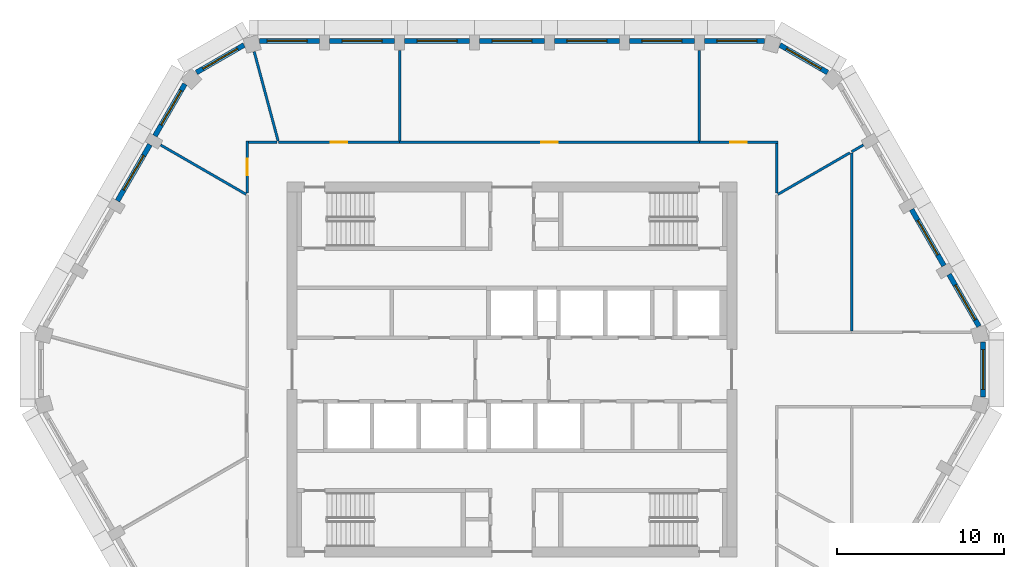
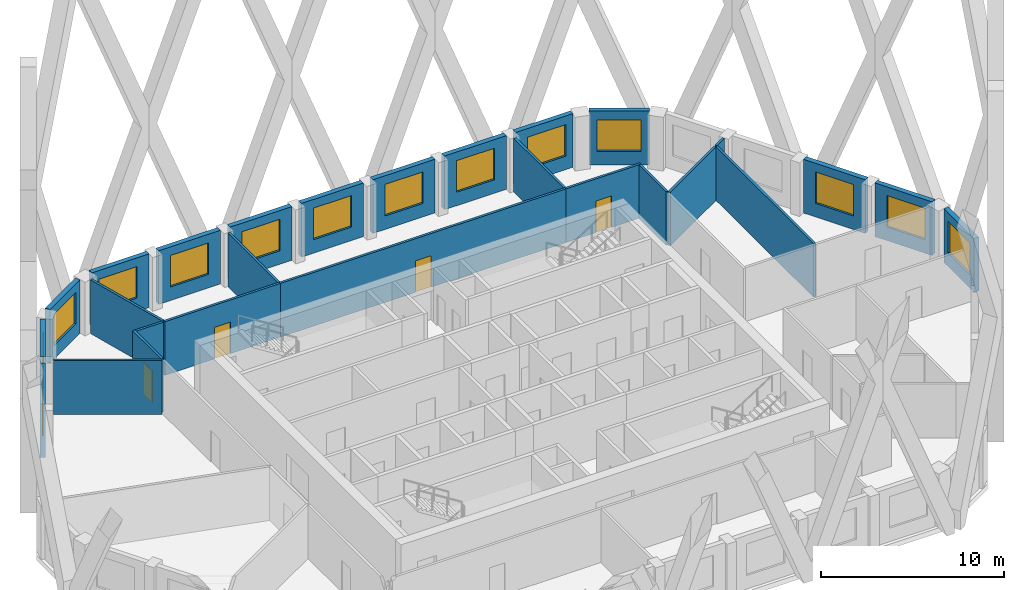
# One storey, part 6 of 14: 27 walls, 14 windows, 4 doors, 18 openings.
"""IFC4 building model written with IfcOpenShell, lengths in metres."""

from ifc_helpers import new_model, si_unit, direction, frame, frame_2d, origin, place, context, subcontext, project, spatial, rectangle, extrude, material, layer, layer_set, type_object, element, fill, save


model = new_model("IFC4")

# Units and contexts
model_context = context("Model", 3, precision=1e-05, world=origin(), true_north=direction((0.0, 1.0)))
body_context = subcontext(model_context, "Body", "Model", "MODEL_VIEW")
ifc_project = project(units=[si_unit("LENGTHUNIT", "METRE"), si_unit("AREAUNIT", "SQUARE_METRE"), si_unit("VOLUMEUNIT", "CUBIC_METRE"), si_unit("PLANEANGLEUNIT", "RADIAN"), si_unit("MASSUNIT", "GRAM", prefix="KILO")], contexts=[model_context])

# Site, building, storey
site_placement = place(None, origin())
site = spatial("IfcSite", under=ifc_project, at=site_placement, CompositionType="ELEMENT")
building_placement = place(site_placement, origin())
building = spatial("IfcBuilding", under=site, at=building_placement, Name="Dhurran Vertical Campus", CompositionType="ELEMENT")
storey_placement = place(building_placement, frame((0.0, 0.0, 286.5)))
storey = spatial("IfcBuildingStorey", under=building, at=storey_placement, Name="L71", CompositionType="ELEMENT", Elevation=286.5)

# Wall, opening, window
ifc_material_1 = material(Name="Precast concrete C50/60", Category="concrete")
ifc_layer_1 = layer(ifc_material_1, 0.300048828125)
ifc_layer_set_1 = layer_set([ifc_layer_1], Name="Precast concrete C50/60")
wall_type_1 = type_object("IfcWallType", Name="Precast spandrel wall 300", PredefinedType="SOLIDWALL", material=ifc_layer_set_1)
wall_1_placement = place(storey_placement, frame((28.297119140625, -1.64990234375, 0.0), z_axis=(0.0, 0.0, 1.0), x_axis=(0.0, 1.0, 0.0)))
wall_1 = element("IfcWall", 1, at=wall_1_placement, inside=storey, type_object=wall_type_1, Name="EW1 L71.12", PredefinedType="SOLIDWALL", context=body_context, shape_type="SweptSolid", body=[
    extrude(rectangle(XDim=3.2998046875, YDim=0.300048828125, at=frame_2d((1.64990234375, 0.0))), origin(), (0.0, 0.0, 1.0), 3.574951171875),
])
opening_1_placement = place(wall_1_placement, frame((0.449951171875, 0.0, 0.89990234375)))
opening_1 = element("IfcOpeningElement", 2, at=opening_1_placement, cuts=wall_1, Name="Opening WT1", PredefinedType="OPENING", context=body_context, shape_type="SweptSolid", body=[
    extrude(rectangle(XDim=2.39990234375, YDim=2.10009765625, at=frame_2d((1.199951171875, 1.050048828125))), frame((0.0, 0.159912109375, 0.0), z_axis=(0.0, -1.0, 0.0), x_axis=(1.0, 0.0, 0.0)), (0.0, 0.0, 1.0), 0.320068359375),
])
ifc_material_2 = material(Name="Aluminium frame with solar-control glass", Category="aluminium")
window_type = type_object("IfcWindowType", Name="Punched window 2400 x 2100", PartitioningType="SINGLE_PANEL", PredefinedType="WINDOW", material=ifc_material_2)
window_1_placement = place(opening_1_placement, origin())
window_1 = element("IfcWindow", 3, at=window_1_placement, inside=storey, type_object=window_type, Name="WT1 L71.12", OverallHeight=2.10009765625, OverallWidth=2.39990234375, PartitioningType="SINGLE_PANEL", PredefinedType="WINDOW", context=body_context, shape_type="SweptSolid", body=[
    extrude(rectangle(XDim=2.39990234375, YDim=2.10009765625, at=frame_2d((1.199951171875, 1.050048828125))), frame((0.0, 0.030029296875, 0.0), z_axis=(0.0, -1.0, 0.0), x_axis=(1.0, 0.0, 0.0)), (0.0, 0.0, 1.0), 0.06005859375),
])
fill(opening_1, window_1)

wall_2_placement = place(storey_placement, frame((28.0439453125, 2.5947265625, 0.0), z_axis=(0.0, 0.0, 1.0), x_axis=(-0.499969057507, 0.866043267704, 0.0)))
wall_2 = element("IfcWall", 4, at=wall_2_placement, inside=storey, type_object=wall_type_1, Name="EW1 L71.13", PredefinedType="SOLIDWALL", context=body_context, shape_type="SweptSolid", body=[
    extrude(rectangle(XDim=3.599365234375, YDim=0.300048828125, at=frame_2d((1.7998046875, 0.0))), origin(), (0.0, 0.0, 1.0), 3.574951171875),
])
opening_2_placement = place(wall_2_placement, frame((0.449951171875, 0.0, 0.89990234375)))
opening_2 = element("IfcOpeningElement", 5, at=opening_2_placement, cuts=wall_2, Name="Opening WT1", PredefinedType="OPENING", context=body_context, shape_type="SweptSolid", body=[
    extrude(rectangle(XDim=2.39990234375, YDim=2.10009765625, at=frame_2d((1.199951171875, 1.050048828125))), frame((0.0, 0.159912109375, 0.0), z_axis=(0.0, -1.0, 0.0), x_axis=(1.0, 0.0, 0.0)), (0.0, 0.0, 1.0), 0.320068359375),
])
window_2_placement = place(opening_2_placement, origin())
window_2 = element("IfcWindow", 6, at=window_2_placement, inside=storey, type_object=window_type, Name="WT1 L71.13", OverallHeight=2.10009765625, OverallWidth=2.39990234375, PartitioningType="SINGLE_PANEL", PredefinedType="WINDOW", context=body_context, shape_type="SweptSolid", body=[
    extrude(rectangle(XDim=2.39990234375, YDim=2.10009765625, at=frame_2d((1.199951171875, 1.050048828125))), frame((0.0, 0.030029296875, 0.0), z_axis=(0.0, -1.0, 0.0), x_axis=(1.0, 0.0, 0.0)), (0.0, 0.0, 1.0), 0.06005859375),
])
fill(opening_2, window_2)

wall_3_placement = place(storey_placement, frame((25.94384765625, 6.232421875, 0.0), z_axis=(0.0, 0.0, 1.0), x_axis=(-0.500011542666, 0.866018739521, 0.0)))
wall_3 = element("IfcWall", 7, at=wall_3_placement, inside=storey, type_object=wall_type_1, Name="EW1 L71.14", PredefinedType="SOLIDWALL", context=body_context, shape_type="SweptSolid", body=[
    extrude(rectangle(XDim=3.89892578125, YDim=0.300048828125, at=frame_2d((1.949462890625, 0.0))), origin(), (0.0, 0.0, 1.0), 3.574951171875),
])
opening_3_placement = place(wall_3_placement, frame((0.74951171875, 0.0, 0.89990234375)))
opening_3 = element("IfcOpeningElement", 8, at=opening_3_placement, cuts=wall_3, Name="Opening WT1", PredefinedType="OPENING", context=body_context, shape_type="SweptSolid", body=[
    extrude(rectangle(XDim=2.39990234375, YDim=2.10009765625, at=frame_2d((1.199951171875, 1.050048828125))), frame((0.0, 0.159912109375, 0.0), z_axis=(0.0, -1.0, 0.0), x_axis=(1.0, 0.0, 0.0)), (0.0, 0.0, 1.0), 0.320068359375),
])
window_3_placement = place(opening_3_placement, origin())
window_3 = element("IfcWindow", 9, at=window_3_placement, inside=storey, type_object=window_type, Name="WT1 L71.14", OverallHeight=2.10009765625, OverallWidth=2.39990234375, PartitioningType="SINGLE_PANEL", PredefinedType="WINDOW", context=body_context, shape_type="SweptSolid", body=[
    extrude(rectangle(XDim=2.39990234375, YDim=2.10009765625, at=frame_2d((1.199951171875, 1.050048828125))), frame((0.0, 0.030029296875, 0.0), z_axis=(0.0, -1.0, 0.0), x_axis=(1.0, 0.0, 0.0)), (0.0, 0.0, 1.0), 0.06005859375),
])
fill(opening_3, window_3)

wall_4_placement = place(storey_placement, frame((18.952392578125, 17.83544921875, 0.0), z_axis=(0.0, 0.0, 1.0), x_axis=(-0.866021716278, 0.500006386895, 0.0)))
wall_4 = element("IfcWall", 10, at=wall_4_placement, inside=storey, type_object=wall_type_1, Name="EW1 L71.17", PredefinedType="SOLIDWALL", context=body_context, shape_type="SweptSolid", body=[
    extrude(rectangle(XDim=3.2998046875, YDim=0.300048828125, at=frame_2d((1.64990234375, 0.0))), origin(), (0.0, 0.0, 1.0), 3.574951171875),
])
opening_4_placement = place(wall_4_placement, frame((0.449951171875, 0.0, 0.89990234375)))
opening_4 = element("IfcOpeningElement", 11, at=opening_4_placement, cuts=wall_4, Name="Opening WT1", PredefinedType="OPENING", context=body_context, shape_type="SweptSolid", body=[
    extrude(rectangle(XDim=2.39990234375, YDim=2.10009765625, at=frame_2d((1.199951171875, 1.050048828125))), frame((0.0, 0.159912109375, 0.0), z_axis=(0.0, -1.0, 0.0), x_axis=(1.0, 0.0, 0.0)), (0.0, 0.0, 1.0), 0.320068359375),
])
window_4_placement = place(opening_4_placement, origin())
window_4 = element("IfcWindow", 12, at=window_4_placement, inside=storey, type_object=window_type, Name="WT1 L71.17", OverallHeight=2.10009765625, OverallWidth=2.39990234375, PartitioningType="SINGLE_PANEL", PredefinedType="WINDOW", context=body_context, shape_type="SweptSolid", body=[
    extrude(rectangle(XDim=2.39990234375, YDim=2.10009765625, at=frame_2d((1.199951171875, 1.050048828125))), frame((0.0, 0.030029296875, 0.0), z_axis=(0.0, -1.0, 0.0), x_axis=(1.0, 0.0, 0.0)), (0.0, 0.0, 1.0), 0.06005859375),
])
fill(opening_4, window_4)

wall_5_placement = place(storey_placement, frame((15.14990234375, 19.738525390625, 0.0), z_axis=(0.0, 0.0, 1.0), x_axis=(-1.0, 0.0, 0.0)))
wall_5 = element("IfcWall", 13, at=wall_5_placement, inside=storey, type_object=wall_type_1, Name="EW1 L71.18", PredefinedType="SOLIDWALL", context=body_context, shape_type="SweptSolid", body=[
    extrude(rectangle(XDim=3.599365234375, YDim=0.300048828125, at=frame_2d((1.7998046875, 0.0))), origin(), (0.0, 0.0, 1.0), 3.574951171875),
])
opening_5_placement = place(wall_5_placement, frame((0.449951171875, 0.0, 0.89990234375)))
opening_5 = element("IfcOpeningElement", 14, at=opening_5_placement, cuts=wall_5, Name="Opening WT1", PredefinedType="OPENING", context=body_context, shape_type="SweptSolid", body=[
    extrude(rectangle(XDim=2.39990234375, YDim=2.10009765625, at=frame_2d((1.199951171875, 1.050048828125))), frame((0.0, 0.159912109375, 0.0), z_axis=(0.0, -1.0, 0.0), x_axis=(1.0, 0.0, 0.0)), (0.0, 0.0, 1.0), 0.320068359375),
])
window_5_placement = place(opening_5_placement, origin())
window_5 = element("IfcWindow", 15, at=window_5_placement, inside=storey, type_object=window_type, Name="WT1 L71.18", OverallHeight=2.10009765625, OverallWidth=2.39990234375, PartitioningType="SINGLE_PANEL", PredefinedType="WINDOW", context=body_context, shape_type="SweptSolid", body=[
    extrude(rectangle(XDim=2.39990234375, YDim=2.10009765625, at=frame_2d((1.199951171875, 1.050048828125))), frame((0.0, 0.030029296875, 0.0), z_axis=(0.0, -1.0, 0.0), x_axis=(1.0, 0.0, 0.0)), (0.0, 0.0, 1.0), 0.06005859375),
])
fill(opening_5, window_5)

wall_6_placement = place(storey_placement, frame((10.949462890625, 19.738525390625, 0.0), z_axis=(0.0, 0.0, 1.0), x_axis=(-1.0, 0.0, 0.0)))
wall_6 = element("IfcWall", 16, at=wall_6_placement, inside=storey, type_object=wall_type_1, Name="EW1 L71.19", PredefinedType="SOLIDWALL", context=body_context, shape_type="SweptSolid", body=[
    extrude(rectangle(XDim=3.89892578125, YDim=0.300048828125, at=frame_2d((1.949462890625, 0.0))), origin(), (0.0, 0.0, 1.0), 3.574951171875),
])
opening_6_placement = place(wall_6_placement, frame((0.74951171875, 0.0, 0.89990234375)))
opening_6 = element("IfcOpeningElement", 17, at=opening_6_placement, cuts=wall_6, Name="Opening WT1", PredefinedType="OPENING", context=body_context, shape_type="SweptSolid", body=[
    extrude(rectangle(XDim=2.39990234375, YDim=2.10009765625, at=frame_2d((1.199951171875, 1.050048828125))), frame((0.0, 0.159912109375, 0.0), z_axis=(0.0, -1.0, 0.0), x_axis=(1.0, 0.0, 0.0)), (0.0, 0.0, 1.0), 0.320068359375),
])
window_6_placement = place(opening_6_placement, origin())
window_6 = element("IfcWindow", 18, at=window_6_placement, inside=storey, type_object=window_type, Name="WT1 L71.19", OverallHeight=2.10009765625, OverallWidth=2.39990234375, PartitioningType="SINGLE_PANEL", PredefinedType="WINDOW", context=body_context, shape_type="SweptSolid", body=[
    extrude(rectangle(XDim=2.39990234375, YDim=2.10009765625, at=frame_2d((1.199951171875, 1.050048828125))), frame((0.0, 0.030029296875, 0.0), z_axis=(0.0, -1.0, 0.0), x_axis=(1.0, 0.0, 0.0)), (0.0, 0.0, 1.0), 0.06005859375),
])
fill(opening_6, window_6)

wall_7_placement = place(storey_placement, frame((6.449462890625, 19.738525390625, 0.0), z_axis=(0.0, 0.0, 1.0), x_axis=(-1.0, 0.0, 0.0)))
wall_7 = element("IfcWall", 19, at=wall_7_placement, inside=storey, type_object=wall_type_1, Name="EW1 L71.20", PredefinedType="SOLIDWALL", context=body_context, shape_type="SweptSolid", body=[
    extrude(rectangle(XDim=3.89892578125, YDim=0.300048828125, at=frame_2d((1.949462890625, 0.0))), origin(), (0.0, 0.0, 1.0), 3.574951171875),
])
opening_7_placement = place(wall_7_placement, frame((0.74951171875, 0.0, 0.89990234375)))
opening_7 = element("IfcOpeningElement", 20, at=opening_7_placement, cuts=wall_7, Name="Opening WT1", PredefinedType="OPENING", context=body_context, shape_type="SweptSolid", body=[
    extrude(rectangle(XDim=2.39990234375, YDim=2.10009765625, at=frame_2d((1.199951171875, 1.050048828125))), frame((0.0, 0.159912109375, 0.0), z_axis=(0.0, -1.0, 0.0), x_axis=(1.0, 0.0, 0.0)), (0.0, 0.0, 1.0), 0.320068359375),
])
window_7_placement = place(opening_7_placement, origin())
window_7 = element("IfcWindow", 21, at=window_7_placement, inside=storey, type_object=window_type, Name="WT1 L71.20", OverallHeight=2.10009765625, OverallWidth=2.39990234375, PartitioningType="SINGLE_PANEL", PredefinedType="WINDOW", context=body_context, shape_type="SweptSolid", body=[
    extrude(rectangle(XDim=2.39990234375, YDim=2.10009765625, at=frame_2d((1.199951171875, 1.050048828125))), frame((0.0, 0.030029296875, 0.0), z_axis=(0.0, -1.0, 0.0), x_axis=(1.0, 0.0, 0.0)), (0.0, 0.0, 1.0), 0.06005859375),
])
fill(opening_7, window_7)

wall_8_placement = place(storey_placement, frame((1.949462890625, 19.738525390625, 0.0), z_axis=(0.0, 0.0, 1.0), x_axis=(-1.0, 0.0, 0.0)))
wall_8 = element("IfcWall", 22, at=wall_8_placement, inside=storey, type_object=wall_type_1, Name="EW1 L71.21", PredefinedType="SOLIDWALL", context=body_context, shape_type="SweptSolid", body=[
    extrude(rectangle(XDim=3.89892578125, YDim=0.300048828125, at=frame_2d((1.949462890625, 0.0))), origin(), (0.0, 0.0, 1.0), 3.574951171875),
])
opening_8_placement = place(wall_8_placement, frame((0.74951171875, 0.0, 0.89990234375)))
opening_8 = element("IfcOpeningElement", 23, at=opening_8_placement, cuts=wall_8, Name="Opening WT1", PredefinedType="OPENING", context=body_context, shape_type="SweptSolid", body=[
    extrude(rectangle(XDim=2.39990234375, YDim=2.10009765625, at=frame_2d((1.199951171875, 1.050048828125))), frame((0.0, 0.159912109375, 0.0), z_axis=(0.0, -1.0, 0.0), x_axis=(1.0, 0.0, 0.0)), (0.0, 0.0, 1.0), 0.320068359375),
])
window_8_placement = place(opening_8_placement, origin())
window_8 = element("IfcWindow", 24, at=window_8_placement, inside=storey, type_object=window_type, Name="WT1 L71.21", OverallHeight=2.10009765625, OverallWidth=2.39990234375, PartitioningType="SINGLE_PANEL", PredefinedType="WINDOW", context=body_context, shape_type="SweptSolid", body=[
    extrude(rectangle(XDim=2.39990234375, YDim=2.10009765625, at=frame_2d((1.199951171875, 1.050048828125))), frame((0.0, 0.030029296875, 0.0), z_axis=(0.0, -1.0, 0.0), x_axis=(1.0, 0.0, 0.0)), (0.0, 0.0, 1.0), 0.06005859375),
])
fill(opening_8, window_8)

wall_9_placement = place(storey_placement, frame((-2.550537109375, 19.738525390625, 0.0), z_axis=(0.0, 0.0, 1.0), x_axis=(-1.0, 0.0, 0.0)))
wall_9 = element("IfcWall", 25, at=wall_9_placement, inside=storey, type_object=wall_type_1, Name="EW1 L71.22", PredefinedType="SOLIDWALL", context=body_context, shape_type="SweptSolid", body=[
    extrude(rectangle(XDim=3.89892578125, YDim=0.300048828125, at=frame_2d((1.949462890625, 0.0))), origin(), (0.0, 0.0, 1.0), 3.574951171875),
])
opening_9_placement = place(wall_9_placement, frame((0.74951171875, 0.0, 0.89990234375)))
opening_9 = element("IfcOpeningElement", 26, at=opening_9_placement, cuts=wall_9, Name="Opening WT1", PredefinedType="OPENING", context=body_context, shape_type="SweptSolid", body=[
    extrude(rectangle(XDim=2.39990234375, YDim=2.10009765625, at=frame_2d((1.199951171875, 1.050048828125))), frame((0.0, 0.159912109375, 0.0), z_axis=(0.0, -1.0, 0.0), x_axis=(1.0, 0.0, 0.0)), (0.0, 0.0, 1.0), 0.320068359375),
])
window_9_placement = place(opening_9_placement, origin())
window_9 = element("IfcWindow", 27, at=window_9_placement, inside=storey, type_object=window_type, Name="WT1 L71.22", OverallHeight=2.10009765625, OverallWidth=2.39990234375, PartitioningType="SINGLE_PANEL", PredefinedType="WINDOW", context=body_context, shape_type="SweptSolid", body=[
    extrude(rectangle(XDim=2.39990234375, YDim=2.10009765625, at=frame_2d((1.199951171875, 1.050048828125))), frame((0.0, 0.030029296875, 0.0), z_axis=(0.0, -1.0, 0.0), x_axis=(1.0, 0.0, 0.0)), (0.0, 0.0, 1.0), 0.06005859375),
])
fill(opening_9, window_9)

wall_10_placement = place(storey_placement, frame((-7.050537109375, 19.738525390625, 0.0), z_axis=(0.0, 0.0, 1.0), x_axis=(-1.0, 0.0, 0.0)))
wall_10 = element("IfcWall", 28, at=wall_10_placement, inside=storey, type_object=wall_type_1, Name="EW1 L71.23", PredefinedType="SOLIDWALL", context=body_context, shape_type="SweptSolid", body=[
    extrude(rectangle(XDim=3.89892578125, YDim=0.300048828125, at=frame_2d((1.949462890625, 0.0))), origin(), (0.0, 0.0, 1.0), 3.574951171875),
])
opening_10_placement = place(wall_10_placement, frame((0.74951171875, 0.0, 0.89990234375)))
opening_10 = element("IfcOpeningElement", 29, at=opening_10_placement, cuts=wall_10, Name="Opening WT1", PredefinedType="OPENING", context=body_context, shape_type="SweptSolid", body=[
    extrude(rectangle(XDim=2.39990234375, YDim=2.10009765625, at=frame_2d((1.199951171875, 1.050048828125))), frame((0.0, 0.159912109375, 0.0), z_axis=(0.0, -1.0, 0.0), x_axis=(1.0, 0.0, 0.0)), (0.0, 0.0, 1.0), 0.320068359375),
])
window_10_placement = place(opening_10_placement, origin())
window_10 = element("IfcWindow", 30, at=window_10_placement, inside=storey, type_object=window_type, Name="WT1 L71.23", OverallHeight=2.10009765625, OverallWidth=2.39990234375, PartitioningType="SINGLE_PANEL", PredefinedType="WINDOW", context=body_context, shape_type="SweptSolid", body=[
    extrude(rectangle(XDim=2.39990234375, YDim=2.10009765625, at=frame_2d((1.199951171875, 1.050048828125))), frame((0.0, 0.030029296875, 0.0), z_axis=(0.0, -1.0, 0.0), x_axis=(1.0, 0.0, 0.0)), (0.0, 0.0, 1.0), 0.06005859375),
])
fill(opening_10, window_10)

wall_11_placement = place(storey_placement, frame((-11.550537109375, 19.738525390625, 0.0), z_axis=(0.0, 0.0, 1.0), x_axis=(-1.0, 0.0, 0.0)))
wall_11 = element("IfcWall", 31, at=wall_11_placement, inside=storey, type_object=wall_type_1, Name="EW1 L71.24", PredefinedType="SOLIDWALL", context=body_context, shape_type="SweptSolid", body=[
    extrude(rectangle(XDim=3.599365234375, YDim=0.300048828125, at=frame_2d((1.7998046875, 0.0))), origin(), (0.0, 0.0, 1.0), 3.574951171875),
])
opening_11_placement = place(wall_11_placement, frame((0.74951171875, 0.0, 0.89990234375)))
opening_11 = element("IfcOpeningElement", 32, at=opening_11_placement, cuts=wall_11, Name="Opening WT1", PredefinedType="OPENING", context=body_context, shape_type="SweptSolid", body=[
    extrude(rectangle(XDim=2.39990234375, YDim=2.10009765625, at=frame_2d((1.199951171875, 1.050048828125))), frame((0.0, 0.159912109375, 0.0), z_axis=(0.0, -1.0, 0.0), x_axis=(1.0, 0.0, 0.0)), (0.0, 0.0, 1.0), 0.320068359375),
])
window_11_placement = place(opening_11_placement, origin())
window_11 = element("IfcWindow", 33, at=window_11_placement, inside=storey, type_object=window_type, Name="WT1 L71.24", OverallHeight=2.10009765625, OverallWidth=2.39990234375, PartitioningType="SINGLE_PANEL", PredefinedType="WINDOW", context=body_context, shape_type="SweptSolid", body=[
    extrude(rectangle(XDim=2.39990234375, YDim=2.10009765625, at=frame_2d((1.199951171875, 1.050048828125))), frame((0.0, 0.030029296875, 0.0), z_axis=(0.0, -1.0, 0.0), x_axis=(1.0, 0.0, 0.0)), (0.0, 0.0, 1.0), 0.06005859375),
])
fill(opening_11, window_11)

wall_12_placement = place(storey_placement, frame((-16.0947265625, 19.4853515625, 0.0), z_axis=(0.0, 0.0, 1.0), x_axis=(-0.866021716278, -0.500006386895, 0.0)))
wall_12 = element("IfcWall", 34, at=wall_12_placement, inside=storey, type_object=wall_type_1, Name="EW1 L71.25", PredefinedType="SOLIDWALL", context=body_context, shape_type="SweptSolid", body=[
    extrude(rectangle(XDim=3.2998046875, YDim=0.300048828125, at=frame_2d((1.64990234375, 0.0))), origin(), (0.0, 0.0, 1.0), 3.574951171875),
])
opening_12_placement = place(wall_12_placement, frame((0.449951171875, 0.0, 0.89990234375)))
opening_12 = element("IfcOpeningElement", 35, at=opening_12_placement, cuts=wall_12, Name="Opening WT1", PredefinedType="OPENING", context=body_context, shape_type="SweptSolid", body=[
    extrude(rectangle(XDim=2.39990234375, YDim=2.10009765625, at=frame_2d((1.199951171875, 1.050048828125))), frame((0.0, 0.159912109375, 0.0), z_axis=(0.0, -1.0, 0.0), x_axis=(1.0, 0.0, 0.0)), (0.0, 0.0, 1.0), 0.320068359375),
])
window_12_placement = place(opening_12_placement, origin())
window_12 = element("IfcWindow", 36, at=window_12_placement, inside=storey, type_object=window_type, Name="WT1 L71.25", OverallHeight=2.10009765625, OverallWidth=2.39990234375, PartitioningType="SINGLE_PANEL", PredefinedType="WINDOW", context=body_context, shape_type="SweptSolid", body=[
    extrude(rectangle(XDim=2.39990234375, YDim=2.10009765625, at=frame_2d((1.199951171875, 1.050048828125))), frame((0.0, 0.030029296875, 0.0), z_axis=(0.0, -1.0, 0.0), x_axis=(1.0, 0.0, 0.0)), (0.0, 0.0, 1.0), 0.06005859375),
])
fill(opening_12, window_12)

wall_13_placement = place(storey_placement, frame((-19.64404296875, 17.143798828125, 0.0), z_axis=(0.0, 0.0, 1.0), x_axis=(-0.50001992892, -0.866013897511, 0.0)))
wall_13 = element("IfcWall", 37, at=wall_13_placement, inside=storey, type_object=wall_type_1, Name="EW1 L71.26", PredefinedType="SOLIDWALL", context=body_context, shape_type="SweptSolid", body=[
    extrude(rectangle(XDim=3.599365234375, YDim=0.300048828125, at=frame_2d((1.7998046875, 0.0))), origin(), (0.0, 0.0, 1.0), 3.574951171875),
])
opening_13_placement = place(wall_13_placement, frame((0.449951171875, 0.0, 0.89990234375)))
opening_13 = element("IfcOpeningElement", 38, at=opening_13_placement, cuts=wall_13, Name="Opening WT1", PredefinedType="OPENING", context=body_context, shape_type="SweptSolid", body=[
    extrude(rectangle(XDim=2.39990234375, YDim=2.10009765625, at=frame_2d((1.199951171875, 1.050048828125))), frame((0.0, 0.159912109375, 0.0), z_axis=(0.0, -1.0, 0.0), x_axis=(1.0, 0.0, 0.0)), (0.0, 0.0, 1.0), 0.320068359375),
])
window_13_placement = place(opening_13_placement, origin())
window_13 = element("IfcWindow", 39, at=window_13_placement, inside=storey, type_object=window_type, Name="WT1 L71.26", OverallHeight=2.10009765625, OverallWidth=2.39990234375, PartitioningType="SINGLE_PANEL", PredefinedType="WINDOW", context=body_context, shape_type="SweptSolid", body=[
    extrude(rectangle(XDim=2.39990234375, YDim=2.10009765625, at=frame_2d((1.199951171875, 1.050048828125))), frame((0.0, 0.030029296875, 0.0), z_axis=(0.0, -1.0, 0.0), x_axis=(1.0, 0.0, 0.0)), (0.0, 0.0, 1.0), 0.06005859375),
])
fill(opening_13, window_13)

wall_14_placement = place(storey_placement, frame((-21.744384765625, 13.506103515625, 0.0), z_axis=(0.0, 0.0, 1.0), x_axis=(-0.499984428715, -0.866034393683, 0.0)))
wall_14 = element("IfcWall", 40, at=wall_14_placement, inside=storey, type_object=wall_type_1, Name="EW1 L71.27", PredefinedType="SOLIDWALL", context=body_context, shape_type="SweptSolid", body=[
    extrude(rectangle(XDim=3.89892578125, YDim=0.300048828125, at=frame_2d((1.949462890625, 0.0))), origin(), (0.0, 0.0, 1.0), 3.574951171875),
])
opening_14_placement = place(wall_14_placement, frame((0.74951171875, 0.0, 0.89990234375)))
opening_14 = element("IfcOpeningElement", 41, at=opening_14_placement, cuts=wall_14, Name="Opening WT1", PredefinedType="OPENING", context=body_context, shape_type="SweptSolid", body=[
    extrude(rectangle(XDim=2.39990234375, YDim=2.10009765625, at=frame_2d((1.199951171875, 1.050048828125))), frame((0.0, 0.159912109375, 0.0), z_axis=(0.0, -1.0, 0.0), x_axis=(1.0, 0.0, 0.0)), (0.0, 0.0, 1.0), 0.320068359375),
])
window_14_placement = place(opening_14_placement, origin())
window_14 = element("IfcWindow", 42, at=window_14_placement, inside=storey, type_object=window_type, Name="WT1 L71.27", OverallHeight=2.10009765625, OverallWidth=2.39990234375, PartitioningType="SINGLE_PANEL", PredefinedType="WINDOW", context=body_context, shape_type="SweptSolid", body=[
    extrude(rectangle(XDim=2.39990234375, YDim=2.10009765625, at=frame_2d((1.199951171875, 1.050048828125))), frame((0.0, 0.030029296875, 0.0), z_axis=(0.0, -1.0, 0.0), x_axis=(1.0, 0.0, 0.0)), (0.0, 0.0, 1.0), 0.06005859375),
])
fill(opening_14, window_14)

# Wall, opening, door
ifc_material_3 = material(Name="Gypsum board corridor wall on steel studs", Category="steel")
ifc_layer_2 = layer(ifc_material_3, 0.14990234375)
ifc_layer_set_2 = layer_set([ifc_layer_2], Name="Gypsum board corridor wall on steel studs")
wall_type_2 = type_object("IfcWallType", Name="fl-CW-150 corridor wall", PredefinedType="PARTITIONING", material=ifc_layer_set_2)
wall_15_placement = place(storey_placement, frame((-15.89990234375, 13.72509765625, 0.0), z_axis=(0.0, 0.0, 1.0), x_axis=(0.0, -1.0, 0.0)))
wall_15 = element("IfcWall", 43, at=wall_15_placement, inside=storey, type_object=wall_type_2, Name="Partition 71-09", PredefinedType="PARTITIONING", context=body_context, shape_type="SweptSolid", body=[
    extrude(rectangle(XDim=3.1162109375, YDim=0.14990234375, at=frame_2d((1.55810546875, 0.0))), origin(), (0.0, 0.0, 1.0), 3.574951171875),
])
opening_15_placement = place(wall_15_placement, frame((1.05810546875, 0.0, 0.0)))
opening_15 = element("IfcOpeningElement", 44, at=opening_15_placement, cuts=wall_15, Name="Opening T21.04", PredefinedType="OPENING", context=body_context, shape_type="SweptSolid", body=[
    extrude(rectangle(XDim=1.0, YDim=2.10009765625, at=frame_2d((0.5, 1.050048828125))), frame((0.0, 0.0849609375, 0.0), z_axis=(0.0, -1.0, 0.0), x_axis=(1.0, 0.0, 0.0)), (0.0, 0.0, 1.0), 0.169921875),
])
ifc_material_4 = material(Name="Solid-core timber door set, fire-rated", Category="wood")
door_type = type_object("IfcDoorType", Name="fl-D-1000x2100", OperationType="SINGLE_SWING_LEFT", PredefinedType="DOOR", material=ifc_material_4)
door_1_placement = place(opening_15_placement, origin())
door_1 = element("IfcDoor", 45, at=door_1_placement, inside=storey, type_object=door_type, Name="Door 71.04", OperationType="SINGLE_SWING_LEFT", OverallHeight=2.10009765625, OverallWidth=1.0, PredefinedType="DOOR", context=body_context, shape_type="SweptSolid", body=[
    extrude(rectangle(XDim=1.0, YDim=2.10009765625, at=frame_2d((0.5, 1.050048828125))), frame((0.0, 0.02490234375, 0.0), z_axis=(0.0, -1.0, 0.0), x_axis=(1.0, 0.0, 0.0)), (0.0, 0.0, 1.0), 0.050048828125),
])
fill(opening_15, door_1)

# Wall
wall_16_placement = place(storey_placement, frame((-14.1201171875, 13.64990234375, 0.0), z_axis=(0.0, 0.0, 1.0), x_axis=(-1.0, 0.0, 0.0)))
element("IfcWall", 46, at=wall_16_placement, inside=storey, type_object=wall_type_2, Name="Partition 71-10", PredefinedType="PARTITIONING", context=body_context, shape_type="SweptSolid", body=[
    extrude(rectangle(XDim=1.704833984375, YDim=0.14990234375, at=frame_2d((0.8525390625, 0.0))), origin(), (0.0, 0.0, 1.0), 3.574951171875),
])

# Wall, opening, door
wall_17_placement = place(storey_placement, frame((-6.75, 13.64990234375, 0.0), z_axis=(0.0, 0.0, 1.0), x_axis=(-1.0, 0.0, 0.0)))
wall_17 = element("IfcWall", 47, at=wall_17_placement, inside=storey, type_object=wall_type_2, Name="Partition 71-13", PredefinedType="PARTITIONING", context=body_context, shape_type="SweptSolid", body=[
    extrude(rectangle(XDim=7.27490234375, YDim=0.14990234375, at=frame_2d((3.637451171875, 0.0))), origin(), (0.0, 0.0, 1.0), 3.574951171875),
])
opening_16_placement = place(wall_17_placement, frame((3.137451171875, 0.0, 0.0)))
opening_16 = element("IfcOpeningElement", 48, at=opening_16_placement, cuts=wall_17, Name="Opening T21.05", PredefinedType="OPENING", context=body_context, shape_type="SweptSolid", body=[
    extrude(rectangle(XDim=1.0, YDim=2.10009765625, at=frame_2d((0.5, 1.050048828125))), frame((0.0, 0.0849609375, 0.0), z_axis=(0.0, -1.0, 0.0), x_axis=(1.0, 0.0, 0.0)), (0.0, 0.0, 1.0), 0.169921875),
])
door_2_placement = place(opening_16_placement, origin())
door_2 = element("IfcDoor", 49, at=door_2_placement, inside=storey, type_object=door_type, Name="Door 71.05", OperationType="SINGLE_SWING_RIGHT", OverallHeight=2.10009765625, OverallWidth=1.0, PredefinedType="DOOR", context=body_context, shape_type="SweptSolid", body=[
    extrude(rectangle(XDim=1.0, YDim=2.10009765625, at=frame_2d((0.5, 1.050048828125))), frame((0.0, 0.02490234375, 0.0), z_axis=(0.0, -1.0, 0.0), x_axis=(1.0, 0.0, 0.0)), (0.0, 0.0, 1.0), 0.050048828125),
])
fill(opening_16, door_2)

wall_18_placement = place(storey_placement, frame((11.25, 13.64990234375, 0.0), z_axis=(0.0, 0.0, 1.0), x_axis=(-1.0, 0.0, 0.0)))
wall_18 = element("IfcWall", 50, at=wall_18_placement, inside=storey, type_object=wall_type_2, Name="Partition 71-15", PredefinedType="PARTITIONING", context=body_context, shape_type="SweptSolid", body=[
    extrude(rectangle(XDim=18.0, YDim=0.14990234375, at=frame_2d((9.0, 0.0))), origin(), (0.0, 0.0, 1.0), 3.574951171875),
])
opening_17_placement = place(wall_18_placement, frame((8.5, 0.0, 0.0)))
opening_17 = element("IfcOpeningElement", 51, at=opening_17_placement, cuts=wall_18, Name="Opening T21.07", PredefinedType="OPENING", context=body_context, shape_type="SweptSolid", body=[
    extrude(rectangle(XDim=1.0, YDim=2.10009765625, at=frame_2d((0.5, 1.050048828125))), frame((0.0, 0.0849609375, 0.0), z_axis=(0.0, -1.0, 0.0), x_axis=(1.0, 0.0, 0.0)), (0.0, 0.0, 1.0), 0.169921875),
])
door_3_placement = place(opening_17_placement, origin())
door_3 = element("IfcDoor", 52, at=door_3_placement, inside=storey, type_object=door_type, Name="Door 71.07", OperationType="SINGLE_SWING_RIGHT", OverallHeight=2.10009765625, OverallWidth=1.0, PredefinedType="DOOR", context=body_context, shape_type="SweptSolid", body=[
    extrude(rectangle(XDim=1.0, YDim=2.10009765625, at=frame_2d((0.5, 1.050048828125))), frame((0.0, 0.02490234375, 0.0), z_axis=(0.0, -1.0, 0.0), x_axis=(1.0, 0.0, 0.0)), (0.0, 0.0, 1.0), 0.050048828125),
])
fill(opening_17, door_3)

wall_19_placement = place(storey_placement, frame((15.97509765625, 13.64990234375, 0.0), z_axis=(0.0, 0.0, 1.0), x_axis=(-1.0, 0.0, 0.0)))
wall_19 = element("IfcWall", 53, at=wall_19_placement, inside=storey, type_object=wall_type_2, Name="Partition 71-21", PredefinedType="PARTITIONING", context=body_context, shape_type="SweptSolid", body=[
    extrude(rectangle(XDim=4.72509765625, YDim=0.14990234375, at=frame_2d((2.362548828125, 0.0))), origin(), (0.0, 0.0, 1.0), 3.574951171875),
])
opening_18_placement = place(wall_19_placement, frame((1.862548828125, 0.0, 0.0)))
opening_18 = element("IfcOpeningElement", 54, at=opening_18_placement, cuts=wall_19, Name="Opening T21.10", PredefinedType="OPENING", context=body_context, shape_type="SweptSolid", body=[
    extrude(rectangle(XDim=1.0, YDim=2.10009765625, at=frame_2d((0.5, 1.050048828125))), frame((0.0, 0.0849609375, 0.0), z_axis=(0.0, -1.0, 0.0), x_axis=(1.0, 0.0, 0.0)), (0.0, 0.0, 1.0), 0.169921875),
])
door_4_placement = place(opening_18_placement, origin())
door_4 = element("IfcDoor", 55, at=door_4_placement, inside=storey, type_object=door_type, Name="Door 71.10", OperationType="SINGLE_SWING_RIGHT", OverallHeight=2.10009765625, OverallWidth=1.0, PredefinedType="DOOR", context=body_context, shape_type="SweptSolid", body=[
    extrude(rectangle(XDim=1.0, YDim=2.10009765625, at=frame_2d((0.5, 1.050048828125))), frame((0.0, 0.02490234375, 0.0), z_axis=(0.0, -1.0, 0.0), x_axis=(1.0, 0.0, 0.0)), (0.0, 0.0, 1.0), 0.050048828125),
])
fill(opening_18, door_4)

# Walls
wall_20_placement = place(storey_placement, frame((15.89990234375, 10.60888671875, 0.0), z_axis=(0.0, 0.0, 1.0), x_axis=(0.0, 1.0, 0.0)))
element("IfcWall", 56, at=wall_20_placement, inside=storey, type_object=wall_type_2, Name="Partition 71-30", PredefinedType="PARTITIONING", context=body_context, shape_type="SweptSolid", body=[
    extrude(rectangle(XDim=2.966064453125, YDim=0.14990234375, at=frame_2d((1.48291015625, 0.0))), origin(), (0.0, 0.0, 1.0), 3.574951171875),
])
ifc_material_5 = material(Name="Gypsum board partition on steel studs", Category="steel")
ifc_layer_3 = layer(ifc_material_5, 0.14990234375)
ifc_layer_set_3 = layer_set([ifc_layer_3], Name="Gypsum board partition on steel studs")
wall_type_3 = type_object("IfcWallType", Name="fl-PW-150 fixed partition", PredefinedType="PARTITIONING", material=ifc_layer_set_3)
wall_21_placement = place(storey_placement, frame((-21.100341796875, 13.481201171875, 0.0), z_axis=(0.0, 0.0, 1.0), x_axis=(0.866042974482, -0.499969565424, 0.0)))
element("IfcWall", 57, at=wall_21_placement, inside=storey, type_object=wall_type_3, Name="Partition 71-03", PredefinedType="PARTITIONING", context=body_context, shape_type="SweptSolid", body=[
    extrude(rectangle(XDim=5.929443359375, YDim=0.14990234375, at=frame_2d((2.96484375, 0.0))), origin(), (0.0, 0.0, 1.0), 3.574951171875),
])
wall_22_placement = place(storey_placement, frame((-15.481201171875, 19.083251953125, 0.0), z_axis=(0.0, 0.0, 1.0), x_axis=(0.25887533963, -0.965910740458, 0.0)))
element("IfcWall", 58, at=wall_22_placement, inside=storey, type_object=wall_type_3, Name="Partition 71-11", PredefinedType="PARTITIONING", context=body_context, shape_type="SweptSolid", body=[
    extrude(rectangle(XDim=5.550048828125, YDim=0.14990234375, at=frame_2d((2.77490234375, 0.0))), origin(), (0.0, 0.0, 1.0), 3.574951171875),
])
for number, where, z_axis, x_axis, name in (
    (59, (-6.75, 19.16845703125, 0.0), (0.0, 0.0, 1.0), (0.0, -1.0, 0.0), "Partition 71-14"),
    (60, (11.25, 19.16845703125, 0.0), (0.0, 0.0, 1.0), (0.0, -1.0, 0.0), "Partition 71-20"),
):
    element("IfcWall", number, at=place(storey_placement, frame(where, z_axis=z_axis, x_axis=x_axis)), inside=storey, type_object=wall_type_3, Name=name, PredefinedType="PARTITIONING", context=body_context, shape_type="SweptSolid", body=[
        extrude(rectangle(XDim=5.443359375, YDim=0.14990234375, at=frame_2d((2.7216796875, 0.0))), origin(), (0.0, 0.0, 1.0), 3.574951171875),
    ])
wall_23_placement = place(storey_placement, frame((20.287353515625, 13.011962890625, 0.0), z_axis=(0.0, 0.0, 1.0), x_axis=(-0.866034070548, -0.499984988425, 0.0)))
element("IfcWall", 61, at=wall_23_placement, inside=storey, type_object=wall_type_3, Name="Partition 71-31", PredefinedType="PARTITIONING", context=body_context, shape_type="SweptSolid", body=[
    extrude(rectangle(XDim=4.990966796875, YDim=0.14990234375, at=frame_2d((2.49560546875, 0.0))), origin(), (0.0, 0.0, 1.0), 3.574951171875),
])
wall_24_placement = place(storey_placement, frame((20.39990234375, 13.001953125, 0.0), z_axis=(0.0, 0.0, 1.0), x_axis=(0.0, -1.0, 0.0)))
element("IfcWall", 62, at=wall_24_placement, inside=storey, type_object=wall_type_3, Name="Partition 71-36", PredefinedType="PARTITIONING", context=body_context, shape_type="SweptSolid", body=[
    extrude(rectangle(XDim=10.677001953125, YDim=0.14990234375, at=frame_2d((5.33837890625, 0.0))), origin(), (0.0, 0.0, 1.0), 3.574951171875),
])
wall_25_placement = place(storey_placement, frame((21.100341796875, 13.481201171875, 0.0), z_axis=(0.0, 0.0, 1.0), x_axis=(-0.866080027667, -0.499905376722, 0.0)))
element("IfcWall", 63, at=wall_25_placement, inside=storey, type_object=wall_type_3, Name="Partition 71-38", PredefinedType="PARTITIONING", context=body_context, shape_type="SweptSolid", body=[
    extrude(rectangle(XDim=0.808837890625, YDim=0.14990234375, at=frame_2d((0.404296875, 0.0))), origin(), (0.0, 0.0, 1.0), 3.574951171875),
])

save(model, "model.ifc")
